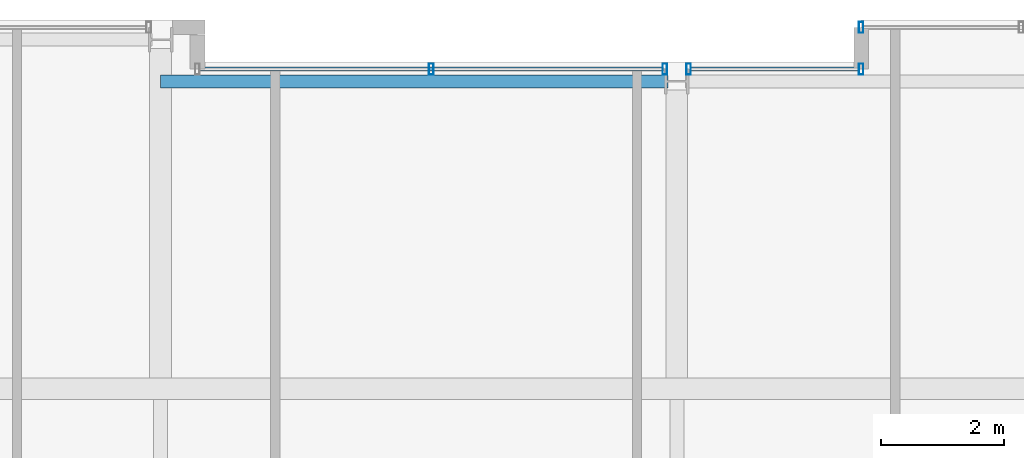
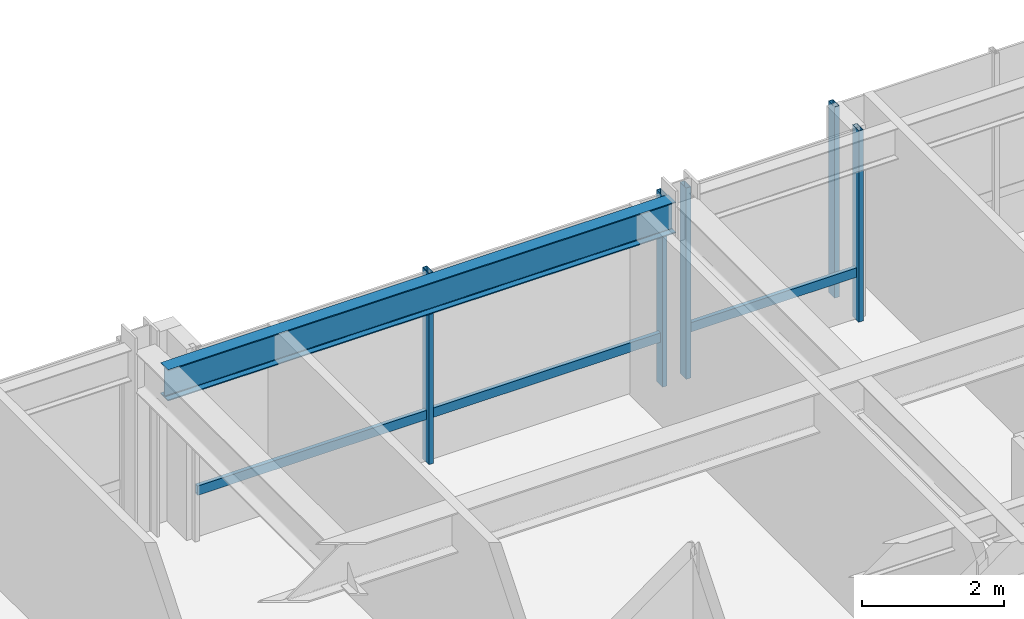
# One storey, part 20 of 31: 7 members, 1 beam, 3 elements without a shape of their own.
"""IFC4 building model written with IfcOpenShell, lengths in metres."""

from ifc_helpers import new_model, si_unit, direction, frame, origin, origin_2d, place, context, subcontext, project, spatial, hollow_rectangle, i_section, extrude, material, layer, layer_set, material_profile, profile_set, type_object, element, aggregate, save


model = new_model("IFC4")

# Units and contexts
model_context = context("Model", 3, precision=1e-05, world=origin(), true_north=direction((0.0, 1.0)))
body_context = subcontext(model_context, "Body", "Model", "MODEL_VIEW")
ifc_project = project(units=[si_unit("LENGTHUNIT", "METRE"), si_unit("AREAUNIT", "SQUARE_METRE"), si_unit("VOLUMEUNIT", "CUBIC_METRE"), si_unit("PLANEANGLEUNIT", "RADIAN"), si_unit("MASSUNIT", "GRAM", prefix="KILO")], contexts=[model_context])

# Site, building, storey
site_placement = place(None, origin())
site = spatial("IfcSite", under=ifc_project, at=site_placement, CompositionType="ELEMENT")
building_placement = place(site_placement, origin())
building = spatial("IfcBuilding", under=site, at=building_placement, Name="Drelvath Grand Hotel", CompositionType="ELEMENT")
storey_placement = place(building_placement, frame((0.0, 0.0, 185.89990234375)))
storey = spatial("IfcBuildingStorey", under=building, at=storey_placement, Name="L48", CompositionType="ELEMENT", Elevation=185.89990234375)

# Curtain wall, member
ifc_material_1 = material(Name="Brushed Pale-Silver Anodised Aluminium Frame", Category="aluminium")
ifc_layer = layer(ifc_material_1, 0.199951171875)
ifc_layer_set = layer_set([ifc_layer], Name="Brushed Pale-Silver Anodised Aluminium Frame")
curtain_wall_type = type_object("IfcCurtainWallType", Name="Stick Curtain Wall CW-04 Brushed Silver Upper-Mid", PredefinedType="NOTDEFINED", material=ifc_layer_set)
curtain_wall_1_placement = place(storey_placement, origin())
curtain_wall_1 = element("IfcCurtainWall", 1, at=curtain_wall_1_placement, inside=storey, type_object=curtain_wall_type, Name="L48 CW-04 Curtain Wall CW04-L48-NM1", PredefinedType="NOTDEFINED")
ifc_material_profile_1 = material_profile(ifc_material_1, hollow_rectangle(XDim=0.06494140625, YDim=0.159912109375, WallThickness=0.00390625, at=origin_2d()), Name="HSS160X65X4")
ifc_profile_set_1 = profile_set([ifc_material_profile_1], Name="Brushed Pale-Silver Anodised Aluminium Frame")
member_type_1 = type_object("IfcMemberType", Name="Curtain Wall Horizontal Transom CW-04 HSS160X65X4", PredefinedType="USERDEFINED", material=ifc_profile_set_1)
member_1_placement = place(storey_placement, frame((-7.760009765625, 48.39990234375, 0.822509765625), z_axis=(1.0, 0.0, 0.0), x_axis=(0.0, 1.0, 0.0)))
member_1 = element("IfcMember", 2, at=member_1_placement, type_object=member_type_1, Name="CW04-L48-NM1 Sill Transom", ObjectType="TRANSOM", PredefinedType="USERDEFINED", context=body_context, shape_type="SweptSolid", body=[
    extrude(hollow_rectangle(XDim=0.06494140625, YDim=0.159912109375, WallThickness=0.00390625, at=origin_2d()), origin(), (0.0, 0.0, 1.0), 7.5283203125),
])

curtain_wall_2_placement = place(storey_placement, origin())
curtain_wall_2 = element("IfcCurtainWall", 3, at=curtain_wall_2_placement, inside=storey, type_object=curtain_wall_type, Name="L48 CW-04 Curtain Wall CW04-L48-NM2", PredefinedType="NOTDEFINED")
member_2_placement = place(storey_placement, frame((0.231689453125, 48.39990234375, 0.822509765625), z_axis=(1.0, 0.0, 0.0), x_axis=(0.0, 1.0, 0.0)))
member_2 = element("IfcMember", 4, at=member_2_placement, type_object=member_type_1, Name="CW04-L48-NM2 Sill Transom", ObjectType="TRANSOM", PredefinedType="USERDEFINED", context=body_context, shape_type="SweptSolid", body=[
    extrude(hollow_rectangle(XDim=0.06494140625, YDim=0.159912109375, WallThickness=0.00390625, at=origin_2d()), origin(), (0.0, 0.0, 1.0), 2.728271484375),
])

# Member
ifc_material_profile_2 = material_profile(ifc_material_1, hollow_rectangle(XDim=0.074951171875, YDim=0.179931640625, WallThickness=0.0048828125, at=origin_2d()), Name="HSS180X75X5")
ifc_profile_set_2 = profile_set([ifc_material_profile_2], Name="Brushed Pale-Silver Anodised Aluminium Frame")
member_type_2 = type_object("IfcMemberType", Name="Curtain Wall Vertical Mullion CW-04 HSS180X75X5", PredefinedType="MULLION", material=ifc_profile_set_2)
member_3_placement = place(storey_placement, frame((-3.995849609375, 48.39990234375, 0.0), z_axis=(0.0, 0.0, 1.0), x_axis=(1.0, 0.0, 0.0)))
member_3 = element("IfcMember", 5, at=member_3_placement, type_object=member_type_2, Name="CW04-L48-NM1 Mullion 2", PredefinedType="MULLION", context=body_context, shape_type="SweptSolid", body=[
    extrude(hollow_rectangle(XDim=0.074951171875, YDim=0.179931640625, WallThickness=0.0048828125, at=origin_2d()), origin(), (0.0, 0.0, 1.0), 3.2900390625),
])

member_4_placement = place(storey_placement, frame((-0.191650390625, 48.39990234375, 0.0), z_axis=(0.0, 0.0, 1.0), x_axis=(1.0, 0.0, 0.0)))
member_4 = element("IfcMember", 6, at=member_4_placement, type_object=member_type_2, Name="CW04-L48-NM1 Mullion 3", PredefinedType="MULLION", context=body_context, shape_type="SweptSolid", body=[
    extrude(hollow_rectangle(XDim=0.074951171875, YDim=0.179931640625, WallThickness=0.0048828125, at=origin_2d()), origin(), (0.0, 0.0, 1.0), 3.2900390625),
])

aggregate(curtain_wall_1, [member_3, member_4, member_1])

member_5_placement = place(storey_placement, frame((0.191650390625, 48.39990234375, 0.0), z_axis=(0.0, 0.0, 1.0), x_axis=(1.0, 0.0, 0.0)))
member_5 = element("IfcMember", 7, at=member_5_placement, type_object=member_type_2, Name="CW04-L48-NM2 Mullion 1", PredefinedType="MULLION", context=body_context, shape_type="SweptSolid", body=[
    extrude(hollow_rectangle(XDim=0.074951171875, YDim=0.179931640625, WallThickness=0.0048828125, at=origin_2d()), origin(), (0.0, 0.0, 1.0), 3.2900390625),
])

member_6_placement = place(storey_placement, frame((3.0, 48.39990234375, 0.0), z_axis=(0.0, 0.0, 1.0), x_axis=(1.0, 0.0, 0.0)))
member_6 = element("IfcMember", 8, at=member_6_placement, type_object=member_type_2, Name="CW04-L48-NM2 Mullion 2", PredefinedType="MULLION", context=body_context, shape_type="SweptSolid", body=[
    extrude(hollow_rectangle(XDim=0.074951171875, YDim=0.179931640625, WallThickness=0.0048828125, at=origin_2d()), origin(), (0.0, 0.0, 1.0), 3.2900390625),
])

aggregate(curtain_wall_2, [member_5, member_6, member_2])

# Curtain wall, member
curtain_wall_3_placement = place(storey_placement, origin())
curtain_wall_3 = element("IfcCurtainWall", 9, at=curtain_wall_3_placement, inside=storey, type_object=curtain_wall_type, Name="L48 CW-04 Curtain Wall CW04-L48-NE1", PredefinedType="NOTDEFINED")
member_7_placement = place(storey_placement, frame((3.0, 49.080078125, 0.0), z_axis=(0.0, 0.0, 1.0), x_axis=(1.0, 0.0, 0.0)))
member_7 = element("IfcMember", 10, at=member_7_placement, type_object=member_type_2, Name="CW04-L48-NE1 Mullion 1", PredefinedType="MULLION", context=body_context, shape_type="SweptSolid", body=[
    extrude(hollow_rectangle(XDim=0.074951171875, YDim=0.179931640625, WallThickness=0.0048828125, at=origin_2d()), origin(), (0.0, 0.0, 1.0), 3.2900390625),
])
aggregate(curtain_wall_3, [member_7])

# Beam
ifc_material_2 = material(Name="Steel ASTM A992 Gr 50", Category="steel")
ifc_material_profile_3 = material_profile(ifc_material_2, i_section(OverallWidth=0.210205078125, OverallDepth=0.53662109375, WebThickness=0.010986328125, FlangeThickness=0.017333984375, FilletRadius=0.01806640625, at=origin_2d()), Name="W21X68")
ifc_profile_set_3 = profile_set([ifc_material_profile_3], Name="Steel ASTM A992 Gr 50")
beam_type = type_object("IfcBeamType", Name="Perimeter Spandrel Beam W21X68", PredefinedType="SPANDREL", material=ifc_profile_set_3)
beam_placement = place(storey_placement, frame((-8.39990234375, 48.199951171875, 3.021728515625), z_axis=(1.0, 0.0, 0.0), x_axis=(0.0, 1.0, 0.0)))
element("IfcBeam", 11, at=beam_placement, inside=storey, type_object=beam_type, Name="L48 Spandrel North Mid W", PredefinedType="SPANDREL", context=body_context, shape_type="SweptSolid", body=[
    extrude(i_section(OverallWidth=0.210205078125, OverallDepth=0.53662109375, WebThickness=0.010986328125, FlangeThickness=0.017333984375, FilletRadius=0.01806640625, at=origin_2d()), origin(), (0.0, 0.0, 1.0), 8.260009765625),
])

save(model, "model.ifc")
